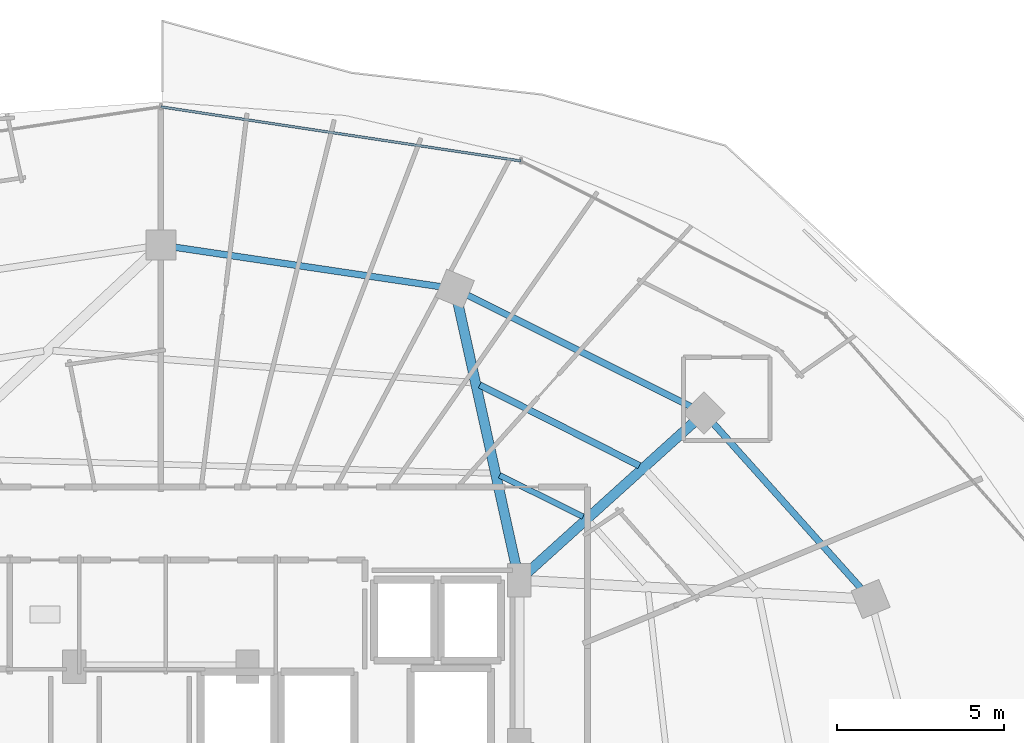
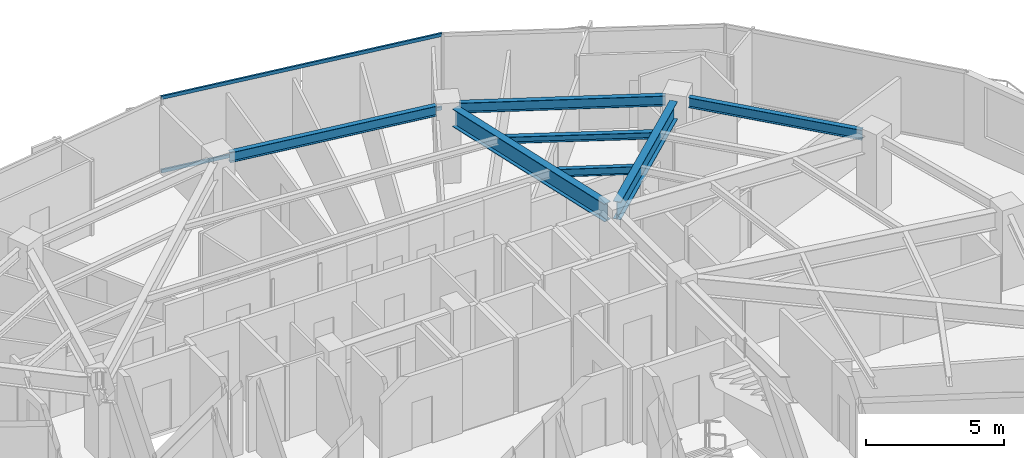
# One storey, part 20 of 33: 7 beams, 2 members, 1 element without a shape of its own.
"""IFC4 building model written with IfcOpenShell, lengths in metres."""

from ifc_helpers import new_model, si_unit, direction, frame, origin, origin_2d, place, context, subcontext, project, spatial, hollow_rectangle, i_section, extrude, material, material_profile, profile_set, type_object, element, aggregate, save


model = new_model("IFC4")

# Units and contexts
model_context = context("Model", 3, precision=1e-05, world=origin(), true_north=direction((0.0, 1.0)))
body_context = subcontext(model_context, "Body", "Model", "MODEL_VIEW")
ifc_project = project(units=[si_unit("LENGTHUNIT", "METRE"), si_unit("AREAUNIT", "SQUARE_METRE"), si_unit("VOLUMEUNIT", "CUBIC_METRE"), si_unit("PLANEANGLEUNIT", "RADIAN"), si_unit("MASSUNIT", "GRAM", prefix="KILO")], contexts=[model_context])

# Site, building, storey
site_placement = place(None, origin())
site = spatial("IfcSite", under=ifc_project, at=site_placement, CompositionType="ELEMENT")
building_placement = place(site_placement, origin())
building = spatial("IfcBuilding", under=site, at=building_placement, Name="Vorneva Point Tower", CompositionType="ELEMENT")
storey_placement = place(building_placement, frame((0.0, 0.0, 217.85009765625)))
storey = spatial("IfcBuildingStorey", under=building, at=storey_placement, Name="L59", CompositionType="ELEMENT", Elevation=217.85009765625)

# Beams
ifc_material_1 = material(Name="Steel S355", Category="steel")
ifc_material_profile_1 = material_profile(ifc_material_1, i_section(OverallWidth=0.300048828125, OverallDepth=0.7880859375, WebThickness=0.014404296875, FlangeThickness=0.02197265625, at=origin_2d()), Name="80Sh1")
ifc_profile_set_1 = profile_set([ifc_material_profile_1], Name="Steel S355")
beam_type_1 = type_object("IfcBeamType", Name="BM-GRD-80Sh1", PredefinedType="USERDEFINED", material=ifc_profile_set_1)
beam_1_placement = place(storey_placement, frame((53.973876953125, 37.86865234375, 2.89599609375), z_axis=(-0.742089778537, -0.670300500217, 0.0), x_axis=(0.670300500217, -0.742089778537, 0.0)))
element("IfcBeam", 1, at=beam_1_placement, inside=storey, type_object=beam_type_1, Name="L59 Radial Primary Girder 03", ObjectType="GIRDER", PredefinedType="USERDEFINED", context=body_context, shape_type="SweptSolid", body=[
    extrude(i_section(OverallWidth=0.300048828125, OverallDepth=0.7880859375, WebThickness=0.014404296875, FlangeThickness=0.02197265625, at=origin_2d()), origin(), (0.0, 0.0, 1.0), 6.699462890625),
])
beam_2_placement = place(storey_placement, frame((46.915283203125, 41.462890625, 2.89599609375), z_axis=(0.215522758292, -0.976498817541, 0.0), x_axis=(0.976498817541, 0.215522758292, 0.0)))
element("IfcBeam", 2, at=beam_2_placement, inside=storey, type_object=beam_type_1, Name="L59 Radial Primary Girder 04", ObjectType="GIRDER", PredefinedType="USERDEFINED", context=body_context, shape_type="SweptSolid", body=[
    extrude(i_section(OverallWidth=0.300048828125, OverallDepth=0.7880859375, WebThickness=0.014404296875, FlangeThickness=0.02197265625, at=origin_2d()), origin(), (0.0, 0.0, 1.0), 8.173095703125),
])
ifc_material_profile_2 = material_profile(ifc_material_1, i_section(OverallWidth=0.199951171875, OverallDepth=0.291015625, WebThickness=0.008056640625, FlangeThickness=0.010986328125, at=origin_2d()), Name="30Sh1")
ifc_profile_set_2 = profile_set([ifc_material_profile_2], Name="Steel S355")
beam_type_2 = type_object("IfcBeamType", Name="BM-SEC-30Sh1", PredefinedType="BEAM", material=ifc_profile_set_2)
beam_3_placement = place(storey_placement, frame((52.359130859375, 36.583740234375, 3.144287109375), z_axis=(-0.892445275424, 0.451155660912, 0.0), x_axis=(-0.451155660912, -0.892445275424, 0.0)))
element("IfcBeam", 3, at=beam_3_placement, inside=storey, type_object=beam_type_2, Name="L59 Secondary Floor Beam 1.03", PredefinedType="BEAM", context=body_context, shape_type="SweptSolid", body=[
    extrude(i_section(OverallWidth=0.199951171875, OverallDepth=0.291015625, WebThickness=0.008056640625, FlangeThickness=0.010986328125, at=origin_2d()), origin(), (0.0, 0.0, 1.0), 5.369873046875),
])
ifc_material_profile_3 = material_profile(ifc_material_1, i_section(OverallWidth=0.174072265625, OverallDepth=0.345947265625, WebThickness=0.006103515625, FlangeThickness=0.009033203125, at=origin_2d()), Name="35B1")
ifc_profile_set_3 = profile_set([ifc_material_profile_3], Name="Steel S355")
beam_type_3 = type_object("IfcBeamType", Name="BM-SEC-35B1", PredefinedType="BEAM", material=ifc_profile_set_3)
beam_4_placement = place(storey_placement, frame((50.66845703125, 35.055908203125, 3.116943359375), z_axis=(-0.896290822353, 0.443466753845, 0.0), x_axis=(-0.443466753845, -0.896290822353, 0.0)))
element("IfcBeam", 4, at=beam_4_placement, inside=storey, type_object=beam_type_3, Name="L59 Secondary Floor Beam 2.03", PredefinedType="BEAM", context=body_context, shape_type="SweptSolid", body=[
    extrude(i_section(OverallWidth=0.174072265625, OverallDepth=0.345947265625, WebThickness=0.006103515625, FlangeThickness=0.009033203125, at=origin_2d()), origin(), (0.0, 0.0, 1.0), 2.791748046875),
])
ifc_material_profile_4 = material_profile(ifc_material_1, i_section(OverallWidth=0.198974609375, OverallDepth=0.446044921875, WebThickness=0.008056640625, FlangeThickness=0.011962890625, at=origin_2d()), Name="45B1")
ifc_profile_set_4 = profile_set([ifc_material_profile_4], Name="Steel S355")
beam_type_4 = type_object("IfcBeamType", Name="BM-SPN-45B1", PredefinedType="SPANDREL", material=ifc_profile_set_4)
beam_5_placement = place(storey_placement, frame((59.005126953125, 32.90625, 3.06689453125), z_axis=(-0.66706970547, 0.744995307397, 0.0), x_axis=(-0.744995307397, -0.66706970547, 0.0)))
element("IfcBeam", 5, at=beam_5_placement, inside=storey, type_object=beam_type_4, Name="L59 Perimeter Spandrel Ring Beam 02", PredefinedType="SPANDREL", context=body_context, shape_type="SweptSolid", body=[
    extrude(i_section(OverallWidth=0.198974609375, OverallDepth=0.446044921875, WebThickness=0.008056640625, FlangeThickness=0.011962890625, at=origin_2d()), origin(), (0.0, 0.0, 1.0), 6.6201171875),
])
beam_6_placement = place(storey_placement, frame((53.909423828125, 38.356201171875, 3.06689453125), z_axis=(-0.894922371084, 0.446221861559, 0.0), x_axis=(-0.446221861559, -0.894922371084, 0.0)))
element("IfcBeam", 6, at=beam_6_placement, inside=storey, type_object=beam_type_4, Name="L59 Perimeter Spandrel Ring Beam 03", PredefinedType="SPANDREL", context=body_context, shape_type="SweptSolid", body=[
    extrude(i_section(OverallWidth=0.198974609375, OverallDepth=0.446044921875, WebThickness=0.008056640625, FlangeThickness=0.011962890625, at=origin_2d()), origin(), (0.0, 0.0, 1.0), 7.48583984375),
])
beam_7_placement = place(storey_placement, frame((46.390625, 41.95458984375, 3.06689453125), z_axis=(-0.989165476332, 0.146804837907, 0.0), x_axis=(-0.146804837907, -0.989165476332, 0.0)))
element("IfcBeam", 7, at=beam_7_placement, inside=storey, type_object=beam_type_4, Name="L59 Perimeter Spandrel Ring Beam 04", PredefinedType="SPANDREL", context=body_context, shape_type="SweptSolid", body=[
    extrude(i_section(OverallWidth=0.198974609375, OverallDepth=0.446044921875, WebThickness=0.008056640625, FlangeThickness=0.011962890625, at=origin_2d()), origin(), (0.0, 0.0, 1.0), 8.04736328125),
])

# Curtain wall, members
ifc_material_2 = material(Name="Pale anodised aluminium", Category="aluminium")
curtain_wall_type = type_object("IfcCurtainWallType", Name="CW-RES-SYS", PredefinedType="NOTDEFINED", material=ifc_material_2)
curtain_wall_placement = place(storey_placement, origin())
curtain_wall = element("IfcCurtainWall", 8, at=curtain_wall_placement, inside=storey, type_object=curtain_wall_type, Name="L59 Unitised Curtain Wall CW-L59-R01", PredefinedType="NOTDEFINED")
ifc_material_profile_5 = material_profile(ifc_material_2, hollow_rectangle(XDim=0.074951171875, YDim=0.14990234375, WallThickness=0.00390625, at=origin_2d()), Name="AL-TRN 150x75x4")
ifc_profile_set_5 = profile_set([ifc_material_profile_5], Name="Pale anodised aluminium")
member_type = type_object("IfcMemberType", Name="CW-TRN-150", PredefinedType="USERDEFINED", material=ifc_profile_set_5)
member_1_placement = place(storey_placement, frame((48.80322265625, 45.724853515625, 0.02001953125), z_axis=(-0.988872333273, 0.148766624239, 0.0), x_axis=(-0.148766624239, -0.988872333273, 0.0)))
member_1 = element("IfcMember", 9, at=member_1_placement, type_object=member_type, Name="CW-L59-R01 Transom 03.1", ObjectType="TRANSOM", PredefinedType="USERDEFINED", context=body_context, shape_type="SweptSolid", body=[
    extrude(hollow_rectangle(XDim=0.074951171875, YDim=0.14990234375, WallThickness=0.00390625, at=origin_2d()), origin(), (0.0, 0.0, 1.0), 10.9248046875),
])
member_2_placement = place(storey_placement, frame((48.80322265625, 45.724853515625, 3.27001953125), z_axis=(-0.988872333273, 0.148766624239, 0.0), x_axis=(-0.148766624239, -0.988872333273, 0.0)))
member_2 = element("IfcMember", 10, at=member_2_placement, type_object=member_type, Name="CW-L59-R01 Transom 03.2", ObjectType="TRANSOM", PredefinedType="USERDEFINED", context=body_context, shape_type="SweptSolid", body=[
    extrude(hollow_rectangle(XDim=0.074951171875, YDim=0.14990234375, WallThickness=0.00390625, at=origin_2d()), origin(), (0.0, 0.0, 1.0), 10.9248046875),
])
aggregate(curtain_wall, [member_1, member_2])

save(model, "model.ifc")
